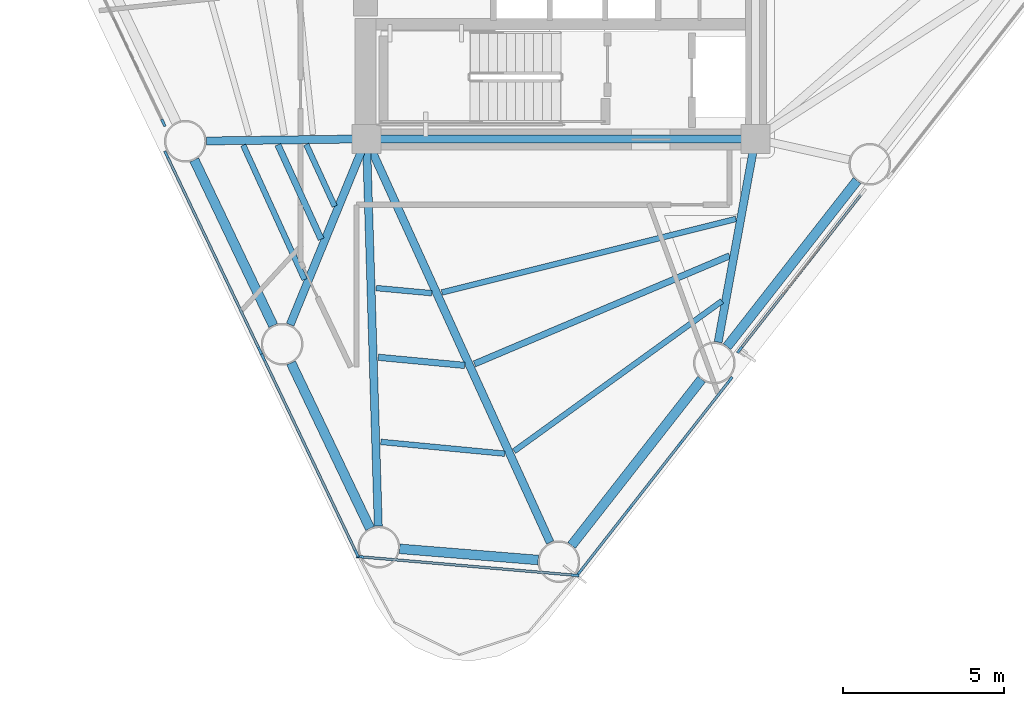
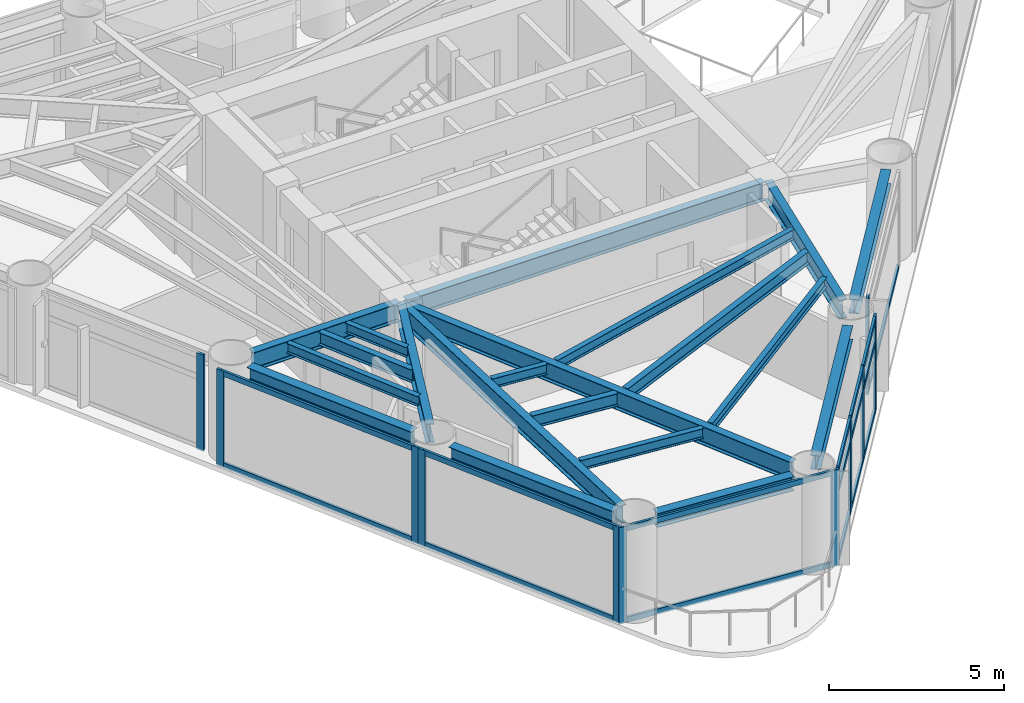
# One storey, part 2 of 10: 28 members, 20 beams, 6 elements without a shape of their own.
"""IFC4 building model written with IfcOpenShell, lengths in metres."""

from ifc_helpers import new_model, si_unit, direction, frame, origin, origin_2d, place, context, subcontext, project, spatial, rectangle, i_section, extrude, source, transform, mapped, material, layer, layer_set, material_profile, profile_set, type_object, element, aggregate, save


model = new_model("IFC4")

# Units and contexts
model_context = context("Model", 3, precision=1e-05, world=origin(), true_north=direction((0.0, 1.0)))
body_context = subcontext(model_context, "Body", "Model", "MODEL_VIEW")
ifc_project = project(units=[si_unit("LENGTHUNIT", "METRE"), si_unit("AREAUNIT", "SQUARE_METRE"), si_unit("VOLUMEUNIT", "CUBIC_METRE"), si_unit("PLANEANGLEUNIT", "RADIAN"), si_unit("MASSUNIT", "GRAM", prefix="KILO")], contexts=[model_context])

# Site, building, storey
site_placement = place(None, origin())
site = spatial("IfcSite", under=ifc_project, at=site_placement, CompositionType="ELEMENT")
building_placement = place(site_placement, origin())
building = spatial("IfcBuilding", under=site, at=building_placement, Name="Yunling Apex Tower", CompositionType="ELEMENT")
storey_placement = place(building_placement, frame((0.0, 0.0, 129.5)))
storey = spatial("IfcBuildingStorey", under=building, at=storey_placement, Name="L31", CompositionType="ELEMENT", Elevation=129.5)

# Beams
ifc_material_1 = material(Name="Steel Q355B", Category="steel")
ifc_material_profile_1 = material_profile(ifc_material_1, i_section(OverallWidth=0.25, OverallDepth=0.64990234375, WebThickness=0.011962890625, FlangeThickness=0.02001953125, FilletRadius=0.02392578125, at=origin_2d()))
ifc_profile_set_1 = profile_set([ifc_material_profile_1], Name="Steel Q355B")
beam_type_1 = type_object("IfcBeamType", Name="BG-PRI-4", PredefinedType="USERDEFINED", material=ifc_profile_set_1)
shared_shape_1 = source(origin(), body_context, "Body", "SweptSolid", [
    extrude(i_section(OverallWidth=0.25, OverallDepth=0.64990234375, WebThickness=0.011962890625, FlangeThickness=0.02001953125, FilletRadius=0.02392578125, at=origin_2d()), origin(), (0.0, 0.0, 1.0), 11.7998046875),
])
beam_1_placement = place(storey_placement, frame((-5.89990234375, -5.5, 2.945068359375), z_axis=(1.0, 0.0, 0.0), x_axis=(0.0, 1.0, 0.0)))
element("IfcBeam", 1, at=beam_1_placement, inside=storey, type_object=beam_type_1, Name="L31 Core Ring Tie Beam 1", ObjectType="GIRDER", PredefinedType="USERDEFINED", context=body_context, shape_type="MappedRepresentation", body=[
    mapped(shared_shape_1, transform((0.0, 0.0, 0.0), scale=1.0)),
])
ifc_material_profile_2 = material_profile(ifc_material_1, i_section(OverallWidth=0.300048828125, OverallDepth=0.489990234375, WebThickness=0.010986328125, FlangeThickness=0.01806640625, FilletRadius=0.02197265625, at=origin_2d()))
ifc_profile_set_2 = profile_set([ifc_material_profile_2], Name="Steel Q355B")
beam_type_2 = type_object("IfcBeamType", Name="BP-SPN-2", PredefinedType="SPANDREL", material=ifc_profile_set_2)
shared_shape_2 = source(origin(), body_context, "Body", "SweptSolid", [
    extrude(i_section(OverallWidth=0.300048828125, OverallDepth=0.489990234375, WebThickness=0.010986328125, FlangeThickness=0.01806640625, FilletRadius=0.02197265625, at=origin_2d()), origin(), (0.0, 0.0, 1.0), 6.562255859375),
])
for number, where, z_axis, x_axis, name in (
    (2, (0.332763671875, -18.147216796875, 3.02490234375), (0.616214963059, 0.787578008392, 0.0), (-0.787578008392, 0.616214963059, 0.0), "L31 Perimeter Spandrel Beam 1"),
    (3, (5.170166015625, -11.964599609375, 3.02490234375), (0.616214963059, 0.787578008392, 0.0), (-0.787578008392, 0.616214963059, 0.0), "L31 Perimeter Spandrel Beam 2"),
):
    element("IfcBeam", number, at=place(storey_placement, frame(where, z_axis=z_axis, x_axis=x_axis)), inside=storey, type_object=beam_type_2, Name=name, PredefinedType="SPANDREL", context=body_context, shape_type="MappedRepresentation", body=[
        mapped(shared_shape_2, transform((0.0, 0.0, 0.0), scale=1.0)),
    ])
shared_shape_3 = source(origin(), body_context, "Body", "SweptSolid", [
    extrude(i_section(OverallWidth=0.300048828125, OverallDepth=0.489990234375, WebThickness=0.010986328125, FlangeThickness=0.01806640625, FilletRadius=0.02197265625, at=origin_2d()), origin(), (0.0, 0.0, 1.0), 5.707763671875),
])
for number, where, z_axis, x_axis, name in (
    (4, (-11.407958984375, -6.15478515625, 3.02490234375), (0.430522919645, -0.902579645051, 0.0), (0.902579645051, 0.430522919645, 0.0), "L31 Perimeter Spandrel Beam 13"),
    (5, (-8.396240234375, -12.468994140625, 3.02490234375), (0.430522919645, -0.902579645051, 0.0), (0.902579645051, 0.430522919645, 0.0), "L31 Perimeter Spandrel Beam 14"),
):
    element("IfcBeam", number, at=place(storey_placement, frame(where, z_axis=z_axis, x_axis=x_axis)), inside=storey, type_object=beam_type_2, Name=name, PredefinedType="SPANDREL", context=body_context, shape_type="MappedRepresentation", body=[
        mapped(shared_shape_3, transform((0.0, 0.0, 0.0), scale=1.0)),
    ])
shared_shape_4 = source(origin(), body_context, "Body", "SweptSolid", [
    extrude(i_section(OverallWidth=0.300048828125, OverallDepth=0.489990234375, WebThickness=0.010986328125, FlangeThickness=0.01806640625, FilletRadius=0.02197265625, at=origin_2d()), origin(), (0.0, 0.0, 1.0), 4.328369140625),
])
beam_2_placement = place(storey_placement, frame((-5.02001953125, -18.25390625, 3.02490234375), z_axis=(0.996750747621, -0.08054779399, 0.0), x_axis=(0.08054779399, 0.996750747621, 0.0)))
element("IfcBeam", 6, at=beam_2_placement, inside=storey, type_object=beam_type_2, Name="L31 Perimeter Spandrel Beam 15", PredefinedType="SPANDREL", context=body_context, shape_type="MappedRepresentation", body=[
    mapped(shared_shape_4, transform((0.0, 0.0, 0.0), scale=1.0)),
])
shared_shape_5 = source(origin(), body_context, "Body", "SweptSolid", [
    extrude(i_section(OverallWidth=0.25, OverallDepth=0.64990234375, WebThickness=0.011962890625, FlangeThickness=0.02001953125, FilletRadius=0.02392578125, at=origin_2d()), origin(), (0.0, 0.0, 1.0), 13.714599609375),
])
beam_3_placement = place(storey_placement, frame((-0.33642578125, -18.0556640625, 2.945068359375), z_axis=(-0.414187834577, 0.910191429145, 0.0), x_axis=(-0.910191429145, -0.414187834577, 0.0)))
element("IfcBeam", 7, at=beam_3_placement, inside=storey, type_object=beam_type_1, Name="L31 Radial Primary Girder R01", ObjectType="GIRDER", PredefinedType="USERDEFINED", context=body_context, shape_type="MappedRepresentation", body=[
    mapped(shared_shape_5, transform((0.0, 0.0, 0.0), scale=1.0)),
])
shared_shape_6 = source(origin(), body_context, "Body", "SweptSolid", [
    extrude(i_section(OverallWidth=0.25, OverallDepth=0.64990234375, WebThickness=0.011962890625, FlangeThickness=0.02001953125, FilletRadius=0.02392578125, at=origin_2d()), origin(), (0.0, 0.0, 1.0), 6.349853515625),
])
beam_4_placement = place(storey_placement, frame((4.891845703125, -11.82470703125, 2.945068359375), z_axis=(0.18012699938, 0.983643362248, 0.0), x_axis=(-0.983643362248, 0.18012699938, 0.0)))
element("IfcBeam", 8, at=beam_4_placement, inside=storey, type_object=beam_type_1, Name="L31 Radial Primary Girder R02", ObjectType="GIRDER", PredefinedType="USERDEFINED", context=body_context, shape_type="MappedRepresentation", body=[
    mapped(shared_shape_6, transform((0.0, 0.0, 0.0), scale=1.0)),
])
shared_shape_7 = source(origin(), body_context, "Body", "SweptSolid", [
    extrude(i_section(OverallWidth=0.25, OverallDepth=0.64990234375, WebThickness=0.011962890625, FlangeThickness=0.02001953125, FilletRadius=0.02392578125, at=origin_2d()), origin(), (0.0, 0.0, 1.0), 4.89794921875),
])
beam_5_placement = place(storey_placement, frame((-11.02734375, -5.56494140625, 2.945068359375), z_axis=(0.999914718433, 0.0130597037, 0.0), x_axis=(-0.0130597037, 0.999914718433, 0.0)))
element("IfcBeam", 9, at=beam_5_placement, inside=storey, type_object=beam_type_1, Name="L31 Radial Primary Girder R13", ObjectType="GIRDER", PredefinedType="USERDEFINED", context=body_context, shape_type="MappedRepresentation", body=[
    mapped(shared_shape_7, transform((0.0, 0.0, 0.0), scale=1.0)),
])
shared_shape_8 = source(origin(), body_context, "Body", "SweptSolid", [
    extrude(i_section(OverallWidth=0.25, OverallDepth=0.64990234375, WebThickness=0.011962890625, FlangeThickness=0.02001953125, FilletRadius=0.02392578125, at=origin_2d()), origin(), (0.0, 0.0, 1.0), 6.16748046875),
])
beam_6_placement = place(storey_placement, frame((-8.423583984375, -11.279052734375, 2.945068359375), z_axis=(0.379933370098, 0.925013856267, 0.0), x_axis=(-0.925013856267, 0.379933370098, 0.0)))
element("IfcBeam", 10, at=beam_6_placement, inside=storey, type_object=beam_type_1, Name="L31 Radial Primary Girder R14", ObjectType="GIRDER", PredefinedType="USERDEFINED", context=body_context, shape_type="MappedRepresentation", body=[
    mapped(shared_shape_8, transform((0.0, 0.0, 0.0), scale=1.0)),
])
shared_shape_9 = source(origin(), body_context, "Body", "SweptSolid", [
    extrude(i_section(OverallWidth=0.25, OverallDepth=0.64990234375, WebThickness=0.011962890625, FlangeThickness=0.02001953125, FilletRadius=0.02392578125, at=origin_2d()), origin(), (0.0, 0.0, 1.0), 11.9697265625),
])
beam_7_placement = place(storey_placement, frame((-5.681884765625, -17.544189453125, 2.945068359375), z_axis=(-0.030554037514, 0.999533116406, 0.0), x_axis=(-0.999533116406, -0.030554037514, 0.0)))
element("IfcBeam", 11, at=beam_7_placement, inside=storey, type_object=beam_type_1, Name="L31 Radial Primary Girder R15", ObjectType="GIRDER", PredefinedType="USERDEFINED", context=body_context, shape_type="MappedRepresentation", body=[
    mapped(shared_shape_9, transform((0.0, 0.0, 0.0), scale=1.0)),
])
ifc_material_profile_3 = material_profile(ifc_material_1, i_section(OverallWidth=0.199951171875, OverallDepth=0.449951171875, WebThickness=0.009033203125, FlangeThickness=0.013916015625, FilletRadius=0.01806640625, at=origin_2d()))
ifc_profile_set_3 = profile_set([ifc_material_profile_3], Name="Steel Q355B")
beam_type_3 = type_object("IfcBeamType", Name="BS-SEC-3", PredefinedType="BEAM", material=ifc_profile_set_3)
shared_shape_10 = source(origin(), body_context, "Body", "SweptSolid", [
    extrude(i_section(OverallWidth=0.199951171875, OverallDepth=0.449951171875, WebThickness=0.009033203125, FlangeThickness=0.013916015625, FilletRadius=0.01806640625, at=origin_2d()), origin(), (0.0, 0.0, 1.0), 8.618896484375),
])
beam_8_placement = place(storey_placement, frame((-2.6884765625, -12.500732421875, 3.044921875), z_axis=(0.920793969751, 0.390049311332, 0.0), x_axis=(-0.390049311332, 0.920793969751, 0.0)))
element("IfcBeam", 12, at=beam_8_placement, inside=storey, type_object=beam_type_3, Name="L31 Composite Floor Beam BS-1", PredefinedType="BEAM", context=body_context, shape_type="MappedRepresentation", body=[
    mapped(shared_shape_10, transform((0.0, 0.0, 0.0), scale=1.0)),
])
ifc_material_profile_4 = material_profile(ifc_material_1, i_section(OverallWidth=0.175048828125, OverallDepth=0.35009765625, WebThickness=0.007080078125, FlangeThickness=0.010986328125, FilletRadius=0.013916015625, at=origin_2d()))
ifc_profile_set_4 = profile_set([ifc_material_profile_4], Name="Steel Q355B")
beam_type_4 = type_object("IfcBeamType", Name="BJ-JST-1", PredefinedType="JOIST", material=ifc_profile_set_4)
shared_shape_11 = source(origin(), body_context, "Body", "SweptSolid", [
    extrude(i_section(OverallWidth=0.175048828125, OverallDepth=0.35009765625, WebThickness=0.007080078125, FlangeThickness=0.010986328125, FilletRadius=0.013916015625, at=origin_2d()), origin(), (0.0, 0.0, 1.0), 7.98046875),
])
beam_9_placement = place(storey_placement, frame((-1.45654296875, -15.2158203125, 3.094970703125), z_axis=(0.81075666384, 0.585383320602, 0.0), x_axis=(-0.585383320602, 0.81075666384, 0.0)))
element("IfcBeam", 13, at=beam_9_placement, inside=storey, type_object=beam_type_4, Name="L31 Composite Floor Joist BJ1-1", PredefinedType="JOIST", context=body_context, shape_type="MappedRepresentation", body=[
    mapped(shared_shape_11, transform((0.0, 0.0, 0.0), scale=1.0)),
])
shared_shape_12 = source(origin(), body_context, "Body", "SweptSolid", [
    extrude(i_section(OverallWidth=0.175048828125, OverallDepth=0.35009765625, WebThickness=0.007080078125, FlangeThickness=0.010986328125, FilletRadius=0.013916015625, at=origin_2d()), origin(), (0.0, 0.0, 1.0), 9.430419921875),
])
beam_10_placement = place(storey_placement, frame((-3.703125, -10.277587890625, 3.094970703125), z_axis=(0.970157726952, 0.242474709682, 0.0), x_axis=(-0.242474709682, 0.970157726952, 0.0)))
element("IfcBeam", 14, at=beam_10_placement, inside=storey, type_object=beam_type_4, Name="L31 Composite Floor Joist BJ3-1", PredefinedType="JOIST", context=body_context, shape_type="MappedRepresentation", body=[
    mapped(shared_shape_12, transform((0.0, 0.0, 0.0), scale=1.0)),
])
shared_shape_13 = source(origin(), body_context, "Body", "SweptSolid", [
    extrude(i_section(OverallWidth=0.199951171875, OverallDepth=0.449951171875, WebThickness=0.009033203125, FlangeThickness=0.013916015625, FilletRadius=0.01806640625, at=origin_2d()), origin(), (0.0, 0.0, 1.0), 3.234619140625),
])
beam_11_placement = place(storey_placement, frame((-8.805908203125, -5.682373046875, 3.044921875), z_axis=(0.416337611841, -0.909210092864, 0.0), x_axis=(0.909210092864, 0.416337611841, 0.0)))
element("IfcBeam", 15, at=beam_11_placement, inside=storey, type_object=beam_type_3, Name="L31 Composite Floor Beam BS-13", PredefinedType="BEAM", context=body_context, shape_type="MappedRepresentation", body=[
    mapped(shared_shape_13, transform((0.0, 0.0, 0.0), scale=1.0)),
])
shared_shape_14 = source(origin(), body_context, "Body", "SweptSolid", [
    extrude(i_section(OverallWidth=0.175048828125, OverallDepth=0.35009765625, WebThickness=0.007080078125, FlangeThickness=0.010986328125, FilletRadius=0.013916015625, at=origin_2d()), origin(), (0.0, 0.0, 1.0), 4.596923828125),
])
beam_12_placement = place(storey_placement, frame((-9.883544921875, -5.696533203125, 3.094970703125), z_axis=(0.415258909569, -0.909703269217, 0.0), x_axis=(0.909703269217, 0.415258909569, 0.0)))
element("IfcBeam", 16, at=beam_12_placement, inside=storey, type_object=beam_type_4, Name="L31 Composite Floor Joist BJ1-13", PredefinedType="JOIST", context=body_context, shape_type="MappedRepresentation", body=[
    mapped(shared_shape_14, transform((0.0, 0.0, 0.0), scale=1.0)),
])
shared_shape_15 = source(origin(), body_context, "Body", "SweptSolid", [
    extrude(i_section(OverallWidth=0.175048828125, OverallDepth=0.35009765625, WebThickness=0.007080078125, FlangeThickness=0.010986328125, FilletRadius=0.013916015625, at=origin_2d()), origin(), (0.0, 0.0, 1.0), 2.1201171875),
])
beam_13_placement = place(storey_placement, frame((-7.924072265625, -5.670654296875, 3.094970703125), z_axis=(0.418101376265, -0.908400373825, 0.0), x_axis=(0.908400373825, 0.418101376265, 0.0)))
element("IfcBeam", 17, at=beam_13_placement, inside=storey, type_object=beam_type_4, Name="L31 Composite Floor Joist BJ3-13", PredefinedType="JOIST", context=body_context, shape_type="MappedRepresentation", body=[
    mapped(shared_shape_15, transform((0.0, 0.0, 0.0), scale=1.0)),
])
shared_shape_16 = source(origin(), body_context, "Body", "SweptSolid", [
    extrude(i_section(OverallWidth=0.199951171875, OverallDepth=0.449951171875, WebThickness=0.009033203125, FlangeThickness=0.013916015625, FilletRadius=0.01806640625, at=origin_2d()), origin(), (0.0, 0.0, 1.0), 2.700439453125),
])
beam_14_placement = place(storey_placement, frame((-5.68359375, -12.294921875, 3.044921875), z_axis=(0.995595280091, -0.09375520391, 0.0), x_axis=(0.09375520391, 0.995595280091, 0.0)))
element("IfcBeam", 18, at=beam_14_placement, inside=storey, type_object=beam_type_3, Name="L31 Composite Floor Beam BS-15", PredefinedType="BEAM", context=body_context, shape_type="MappedRepresentation", body=[
    mapped(shared_shape_16, transform((0.0, 0.0, 0.0), scale=1.0)),
])
shared_shape_17 = source(origin(), body_context, "Body", "SweptSolid", [
    extrude(i_section(OverallWidth=0.175048828125, OverallDepth=0.35009765625, WebThickness=0.007080078125, FlangeThickness=0.010986328125, FilletRadius=0.013916015625, at=origin_2d()), origin(), (0.0, 0.0, 1.0), 3.874755859375),
])
beam_15_placement = place(storey_placement, frame((-5.60302734375, -14.92724609375, 3.094970703125), z_axis=(0.995505944035, -0.094699078094, 0.0), x_axis=(0.094699078094, 0.995505944035, 0.0)))
element("IfcBeam", 19, at=beam_15_placement, inside=storey, type_object=beam_type_4, Name="L31 Composite Floor Joist BJ1-15", PredefinedType="JOIST", context=body_context, shape_type="MappedRepresentation", body=[
    mapped(shared_shape_17, transform((0.0, 0.0, 0.0), scale=1.0)),
])
shared_shape_18 = source(origin(), body_context, "Body", "SweptSolid", [
    extrude(i_section(OverallWidth=0.175048828125, OverallDepth=0.35009765625, WebThickness=0.007080078125, FlangeThickness=0.010986328125, FilletRadius=0.013916015625, at=origin_2d()), origin(), (0.0, 0.0, 1.0), 1.739013671875),
])
beam_16_placement = place(storey_placement, frame((-5.749267578125, -10.14111328125, 3.094970703125), z_axis=(0.995737570839, -0.092231719166, 0.0), x_axis=(0.092231719166, 0.995737570839, 0.0)))
element("IfcBeam", 20, at=beam_16_placement, inside=storey, type_object=beam_type_4, Name="L31 Composite Floor Joist BJ3-15", PredefinedType="JOIST", context=body_context, shape_type="MappedRepresentation", body=[
    mapped(shared_shape_18, transform((0.0, 0.0, 0.0), scale=1.0)),
])

# Curtain wall, members
ifc_material_2 = material(Name="Bronze anodised aluminium", Category="aluminium")
ifc_layer = layer(ifc_material_2, 0.239990234375)
ifc_layer_set = layer_set([ifc_layer], Name="Bronze anodised aluminium")
curtain_wall_type = type_object("IfcCurtainWallType", Name="CW-SYS-3", PredefinedType="NOTDEFINED", material=ifc_layer_set)
curtain_wall_1_placement = place(storey_placement, origin())
curtain_wall_1 = element("IfcCurtainWall", 21, at=curtain_wall_1_placement, inside=storey, type_object=curtain_wall_type, Name="CW-L31-F1-B1", PredefinedType="NOTDEFINED")
ifc_material_profile_5 = material_profile(ifc_material_2, rectangle(XDim=0.080078125, YDim=0.239990234375, at=origin_2d()))
ifc_profile_set_5 = profile_set([ifc_material_profile_5], Name="Bronze anodised aluminium")
member_type_1 = type_object("IfcMemberType", Name="CW-MUL-3", PredefinedType="MULLION", material=ifc_profile_set_5)
shared_shape_19 = source(origin(), body_context, "Body", "SweptSolid", [
    extrude(rectangle(XDim=0.080078125, YDim=0.239990234375, at=origin_2d()), origin(), (0.0, 0.0, 1.0), 3.3701171875),
])
member_1_placement = place(storey_placement, frame((0.569091796875, -18.99755859375, -0.050048828125), z_axis=(0.0, 0.0, 1.0), x_axis=(-0.787583748686, 0.616207626377, 0.0)))
member_1 = element("IfcMember", 22, at=member_1_placement, type_object=member_type_1, Name="CW-SYS-3 mullion 1", PredefinedType="MULLION", context=body_context, shape_type="MappedRepresentation", body=[
    mapped(shared_shape_19, transform((0.0, 0.0, 0.0), scale=1.0)),
])
member_2_placement = place(storey_placement, frame((2.1240234375, -17.01025390625, -0.050048828125), z_axis=(0.0, 0.0, 1.0), x_axis=(-0.787583748686, 0.616207626377, 0.0)))
member_2 = element("IfcMember", 23, at=member_2_placement, type_object=member_type_1, Name="CW-SYS-3 mullion 2", PredefinedType="MULLION", context=body_context, shape_type="MappedRepresentation", body=[
    mapped(shared_shape_19, transform((0.0, 0.0, 0.0), scale=1.0)),
])
member_3_placement = place(storey_placement, frame((3.70361328125, -14.9912109375, -0.050048828125), z_axis=(0.0, 0.0, 1.0), x_axis=(-0.787583748686, 0.616207626377, 0.0)))
member_3 = element("IfcMember", 24, at=member_3_placement, type_object=member_type_1, Name="CW-SYS-3 mullion 3", PredefinedType="MULLION", context=body_context, shape_type="MappedRepresentation", body=[
    mapped(shared_shape_19, transform((0.0, 0.0, 0.0), scale=1.0)),
])
member_4_placement = place(storey_placement, frame((5.258544921875, -13.00390625, -0.050048828125), z_axis=(0.0, 0.0, 1.0), x_axis=(-0.787583748686, 0.616207626377, 0.0)))
member_4 = element("IfcMember", 25, at=member_4_placement, type_object=member_type_1, Name="CW-SYS-3 mullion 4", PredefinedType="MULLION", context=body_context, shape_type="MappedRepresentation", body=[
    mapped(shared_shape_19, transform((0.0, 0.0, 0.0), scale=1.0)),
])

# Curtain wall, member
curtain_wall_2_placement = place(storey_placement, origin())
curtain_wall_2 = element("IfcCurtainWall", 26, at=curtain_wall_2_placement, inside=storey, type_object=curtain_wall_type, Name="CW-L31-F1-B2", PredefinedType="NOTDEFINED")
member_5_placement = place(storey_placement, frame((5.56396484375, -12.06201171875, -0.050048828125), z_axis=(0.0, 0.0, 1.0), x_axis=(-0.787590269126, 0.616199292419, 0.0)))
member_5 = element("IfcMember", 27, at=member_5_placement, type_object=member_type_1, Name="CW-SYS-3 mullion 1", PredefinedType="MULLION", context=body_context, shape_type="MappedRepresentation", body=[
    mapped(shared_shape_19, transform((0.0, 0.0, 0.0), scale=1.0)),
])

curtain_wall_3_placement = place(storey_placement, origin())
curtain_wall_3 = element("IfcCurtainWall", 28, at=curtain_wall_3_placement, inside=storey, type_object=curtain_wall_type, Name="CW-L31-F3-B2", PredefinedType="NOTDEFINED")
member_6_placement = place(storey_placement, frame((-12.36767578125, -5.001708984375, -0.050048828125), z_axis=(0.0, 0.0, 1.0), x_axis=(0.902579794247, 0.430522606859, 0.0)))
member_6 = element("IfcMember", 29, at=member_6_placement, type_object=member_type_1, Name="CW-SYS-3 mullion 2", PredefinedType="MULLION", context=body_context, shape_type="MappedRepresentation", body=[
    mapped(shared_shape_19, transform((0.0, 0.0, 0.0), scale=1.0)),
])
aggregate(curtain_wall_3, [member_6])

# Curtain wall, members
curtain_wall_4_placement = place(storey_placement, origin())
curtain_wall_4 = element("IfcCurtainWall", 30, at=curtain_wall_4_placement, inside=storey, type_object=curtain_wall_type, Name="CW-L31-F3-B3", PredefinedType="NOTDEFINED")
member_7_placement = place(storey_placement, frame((-12.274169921875, -5.987548828125, -0.050048828125), z_axis=(0.0, 0.0, 1.0), x_axis=(0.902593449526, 0.430493977743, 0.0)))
member_7 = element("IfcMember", 31, at=member_7_placement, type_object=member_type_1, Name="CW-SYS-3 mullion 1", PredefinedType="MULLION", context=body_context, shape_type="MappedRepresentation", body=[
    mapped(shared_shape_19, transform((0.0, 0.0, 0.0), scale=1.0)),
])
member_8_placement = place(storey_placement, frame((-9.365966796875, -12.085205078125, -0.050048828125), z_axis=(0.0, 0.0, 1.0), x_axis=(0.902593449526, 0.430493977743, 0.0)))
member_8 = element("IfcMember", 32, at=member_8_placement, type_object=member_type_1, Name="CW-SYS-3 mullion 2", PredefinedType="MULLION", context=body_context, shape_type="MappedRepresentation", body=[
    mapped(shared_shape_19, transform((0.0, 0.0, 0.0), scale=1.0)),
])

curtain_wall_5_placement = place(storey_placement, origin())
curtain_wall_5 = element("IfcCurtainWall", 33, at=curtain_wall_5_placement, inside=storey, type_object=curtain_wall_type, Name="CW-L31-F3-B4", PredefinedType="NOTDEFINED")
member_9_placement = place(storey_placement, frame((-9.2626953125, -12.3017578125, -0.050048828125), z_axis=(0.0, 0.0, 1.0), x_axis=(0.902585053788, 0.430511580192, 0.0)))
member_9 = element("IfcMember", 34, at=member_9_placement, type_object=member_type_1, Name="CW-SYS-3 mullion 1", PredefinedType="MULLION", context=body_context, shape_type="MappedRepresentation", body=[
    mapped(shared_shape_19, transform((0.0, 0.0, 0.0), scale=1.0)),
])
member_10_placement = place(storey_placement, frame((-6.354248046875, -18.399169921875, -0.050048828125), z_axis=(0.0, 0.0, 1.0), x_axis=(0.902585053788, 0.430511580192, 0.0)))
member_10 = element("IfcMember", 35, at=member_10_placement, type_object=member_type_1, Name="CW-SYS-3 mullion 2", PredefinedType="MULLION", context=body_context, shape_type="MappedRepresentation", body=[
    mapped(shared_shape_19, transform((0.0, 0.0, 0.0), scale=1.0)),
])

curtain_wall_6_placement = place(storey_placement, origin())
curtain_wall_6 = element("IfcCurtainWall", 36, at=curtain_wall_6_placement, inside=storey, type_object=curtain_wall_type, Name="CW-L31-CRN3", PredefinedType="NOTDEFINED")
member_11_placement = place(storey_placement, frame((-6.24462890625, -18.50244140625, -0.050048828125), z_axis=(0.0, 0.0, 1.0), x_axis=(0.085550287883, 0.996333853808, 0.0)))
member_11 = element("IfcMember", 37, at=member_11_placement, type_object=member_type_1, Name="CW-SYS-3 mullion 1", PredefinedType="MULLION", context=body_context, shape_type="MappedRepresentation", body=[
    mapped(shared_shape_19, transform((0.0, 0.0, 0.0), scale=1.0)),
])
member_12_placement = place(storey_placement, frame((0.439697265625, -19.076171875, -0.050048828125), z_axis=(0.0, 0.0, 1.0), x_axis=(0.085550287883, 0.996333853808, 0.0)))
member_12 = element("IfcMember", 38, at=member_12_placement, type_object=member_type_1, Name="CW-SYS-3 mullion 2", PredefinedType="MULLION", context=body_context, shape_type="MappedRepresentation", body=[
    mapped(shared_shape_19, transform((0.0, 0.0, 0.0), scale=1.0)),
])

# Member
ifc_material_profile_6 = material_profile(ifc_material_2, rectangle(XDim=0.080078125, YDim=0.18505859375, at=origin_2d()))
ifc_profile_set_6 = profile_set([ifc_material_profile_6], Name="Bronze anodised aluminium")
member_type_2 = type_object("IfcMemberType", Name="CW-TRN-3", PredefinedType="USERDEFINED", material=ifc_profile_set_6)
shared_shape_20 = source(origin(), body_context, "Body", "SweptSolid", [
    extrude(rectangle(XDim=0.080078125, YDim=0.18505859375, at=origin_2d()), origin(), (0.0, 0.0, 1.0), 2.451416015625),
])
member_13_placement = place(storey_placement, frame((0.59130859375, -18.96923828125, 0.0400390625), z_axis=(0.616192781155, 0.787595363402, 0.0), x_axis=(-0.787595363402, 0.616192781155, 0.0)))
member_13 = element("IfcMember", 39, at=member_13_placement, type_object=member_type_2, Name="CW-SYS-3 transom 1.1", ObjectType="TRANSOM", PredefinedType="USERDEFINED", context=body_context, shape_type="MappedRepresentation", body=[
    mapped(shared_shape_20, transform((0.0, 0.0, 0.0), scale=1.0)),
])

member_14_placement = place(storey_placement, frame((0.59130859375, -18.96923828125, 2.485107421875), z_axis=(0.616192781155, 0.787595363402, 0.0), x_axis=(-0.787595363402, 0.616192781155, 0.0)))
member_14 = element("IfcMember", 40, at=member_14_placement, type_object=member_type_2, Name="CW-SYS-3 transom 1.2", ObjectType="TRANSOM", PredefinedType="USERDEFINED", context=body_context, shape_type="MappedRepresentation", body=[
    mapped(shared_shape_20, transform((0.0, 0.0, 0.0), scale=1.0)),
])

member_15_placement = place(storey_placement, frame((0.59130859375, -18.96923828125, 3.22998046875), z_axis=(0.616192781155, 0.787595363402, 0.0), x_axis=(-0.787595363402, 0.616192781155, 0.0)))
member_15 = element("IfcMember", 41, at=member_15_placement, type_object=member_type_2, Name="CW-SYS-3 transom 1.3", ObjectType="TRANSOM", PredefinedType="USERDEFINED", context=body_context, shape_type="MappedRepresentation", body=[
    mapped(shared_shape_20, transform((0.0, 0.0, 0.0), scale=1.0)),
])

member_16_placement = place(storey_placement, frame((3.725830078125, -14.962890625, 0.0400390625), z_axis=(0.616192781155, 0.787595363402, 0.0), x_axis=(-0.787595363402, 0.616192781155, 0.0)))
member_16 = element("IfcMember", 42, at=member_16_placement, type_object=member_type_2, Name="CW-SYS-3 transom 3.1", ObjectType="TRANSOM", PredefinedType="USERDEFINED", context=body_context, shape_type="MappedRepresentation", body=[
    mapped(shared_shape_20, transform((0.0, 0.0, 0.0), scale=1.0)),
])

member_17_placement = place(storey_placement, frame((3.725830078125, -14.962890625, 2.485107421875), z_axis=(0.616192781155, 0.787595363402, 0.0), x_axis=(-0.787595363402, 0.616192781155, 0.0)))
member_17 = element("IfcMember", 43, at=member_17_placement, type_object=member_type_2, Name="CW-SYS-3 transom 3.2", ObjectType="TRANSOM", PredefinedType="USERDEFINED", context=body_context, shape_type="MappedRepresentation", body=[
    mapped(shared_shape_20, transform((0.0, 0.0, 0.0), scale=1.0)),
])

member_18_placement = place(storey_placement, frame((3.725830078125, -14.962890625, 3.22998046875), z_axis=(0.616192781155, 0.787595363402, 0.0), x_axis=(-0.787595363402, 0.616192781155, 0.0)))
member_18 = element("IfcMember", 44, at=member_18_placement, type_object=member_type_2, Name="CW-SYS-3 transom 3.3", ObjectType="TRANSOM", PredefinedType="USERDEFINED", context=body_context, shape_type="MappedRepresentation", body=[
    mapped(shared_shape_20, transform((0.0, 0.0, 0.0), scale=1.0)),
])

shared_shape_21 = source(origin(), body_context, "Body", "SweptSolid", [
    extrude(rectangle(XDim=0.080078125, YDim=0.18505859375, at=origin_2d()), origin(), (0.0, 0.0, 1.0), 2.491455078125),
])
member_19_placement = place(storey_placement, frame((2.146240234375, -16.981689453125, 0.0400390625), z_axis=(0.616197277936, 0.787591845225, 0.0), x_axis=(-0.787591845225, 0.616197277936, 0.0)))
member_19 = element("IfcMember", 45, at=member_19_placement, type_object=member_type_2, Name="CW-SYS-3 transom 2.1", ObjectType="TRANSOM", PredefinedType="USERDEFINED", context=body_context, shape_type="MappedRepresentation", body=[
    mapped(shared_shape_21, transform((0.0, 0.0, 0.0), scale=1.0)),
])

member_20_placement = place(storey_placement, frame((2.146240234375, -16.981689453125, 2.485107421875), z_axis=(0.616197277936, 0.787591845225, 0.0), x_axis=(-0.787591845225, 0.616197277936, 0.0)))
member_20 = element("IfcMember", 46, at=member_20_placement, type_object=member_type_2, Name="CW-SYS-3 transom 2.2", ObjectType="TRANSOM", PredefinedType="USERDEFINED", context=body_context, shape_type="MappedRepresentation", body=[
    mapped(shared_shape_21, transform((0.0, 0.0, 0.0), scale=1.0)),
])

member_21_placement = place(storey_placement, frame((2.146240234375, -16.981689453125, 3.22998046875), z_axis=(0.616197277936, 0.787591845225, 0.0), x_axis=(-0.787591845225, 0.616197277936, 0.0)))
member_21 = element("IfcMember", 47, at=member_21_placement, type_object=member_type_2, Name="CW-SYS-3 transom 2.3", ObjectType="TRANSOM", PredefinedType="USERDEFINED", context=body_context, shape_type="MappedRepresentation", body=[
    mapped(shared_shape_21, transform((0.0, 0.0, 0.0), scale=1.0)),
])

aggregate(curtain_wall_1, [member_1, member_2, member_3, member_4, member_13, member_14, member_15, member_19, member_20, member_21, member_16, member_17, member_18])

shared_shape_22 = source(origin(), body_context, "Body", "SweptSolid", [
    extrude(rectangle(XDim=0.080078125, YDim=0.18505859375, at=origin_2d()), origin(), (0.0, 0.0, 1.0), 6.158203125),
])
member_22_placement = place(storey_placement, frame((5.5859375, -12.03369140625, 0.0400390625), z_axis=(0.616202427613, 0.787587816185, 0.0), x_axis=(-0.787587816185, 0.616202427613, 0.0)))
member_22 = element("IfcMember", 48, at=member_22_placement, type_object=member_type_2, Name="CW-SYS-3 transom 1.1", ObjectType="TRANSOM", PredefinedType="USERDEFINED", context=body_context, shape_type="MappedRepresentation", body=[
    mapped(shared_shape_22, transform((0.0, 0.0, 0.0), scale=1.0)),
])

aggregate(curtain_wall_2, [member_5, member_22])

shared_shape_23 = source(origin(), body_context, "Body", "SweptSolid", [
    extrude(rectangle(XDim=0.080078125, YDim=0.18505859375, at=origin_2d()), origin(), (0.0, 0.0, 1.0), 6.68359375),
])
member_23_placement = place(storey_placement, frame((-12.2587890625, -6.02001953125, 0.0400390625), z_axis=(0.430493585609, -0.902593636555, 0.0), x_axis=(0.902593636555, 0.430493585609, 0.0)))
member_23 = element("IfcMember", 49, at=member_23_placement, type_object=member_type_2, Name="CW-SYS-3 transom 1.1", ObjectType="TRANSOM", PredefinedType="USERDEFINED", context=body_context, shape_type="MappedRepresentation", body=[
    mapped(shared_shape_23, transform((0.0, 0.0, 0.0), scale=1.0)),
])

member_24_placement = place(storey_placement, frame((-12.2587890625, -6.02001953125, 3.22998046875), z_axis=(0.430493585609, -0.902593636555, 0.0), x_axis=(0.902593636555, 0.430493585609, 0.0)))
member_24 = element("IfcMember", 50, at=member_24_placement, type_object=member_type_2, Name="CW-SYS-3 transom 1.2", ObjectType="TRANSOM", PredefinedType="USERDEFINED", context=body_context, shape_type="MappedRepresentation", body=[
    mapped(shared_shape_23, transform((0.0, 0.0, 0.0), scale=1.0)),
])

aggregate(curtain_wall_4, [member_7, member_8, member_23, member_24])

member_25_placement = place(storey_placement, frame((-9.2470703125, -12.334228515625, 0.0400390625), z_axis=(0.430493585609, -0.902593636555, 0.0), x_axis=(0.902593636555, 0.430493585609, 0.0)))
member_25 = element("IfcMember", 51, at=member_25_placement, type_object=member_type_2, Name="CW-SYS-3 transom 1.1", ObjectType="TRANSOM", PredefinedType="USERDEFINED", context=body_context, shape_type="MappedRepresentation", body=[
    mapped(shared_shape_23, transform((0.0, 0.0, 0.0), scale=1.0)),
])

member_26_placement = place(storey_placement, frame((-9.2470703125, -12.334228515625, 3.22998046875), z_axis=(0.430493585609, -0.902593636555, 0.0), x_axis=(0.902593636555, 0.430493585609, 0.0)))
member_26 = element("IfcMember", 52, at=member_26_placement, type_object=member_type_2, Name="CW-SYS-3 transom 1.2", ObjectType="TRANSOM", PredefinedType="USERDEFINED", context=body_context, shape_type="MappedRepresentation", body=[
    mapped(shared_shape_23, transform((0.0, 0.0, 0.0), scale=1.0)),
])

aggregate(curtain_wall_5, [member_9, member_10, member_25, member_26])

shared_shape_24 = source(origin(), body_context, "Body", "SweptSolid", [
    extrude(rectangle(XDim=0.080078125, YDim=0.18505859375, at=origin_2d()), origin(), (0.0, 0.0, 1.0), 6.63720703125),
])
member_27_placement = place(storey_placement, frame((-6.208984375, -18.50537109375, 0.0400390625), z_axis=(0.996333043608, -0.085559723083, 0.0), x_axis=(0.085559723083, 0.996333043608, 0.0)))
member_27 = element("IfcMember", 53, at=member_27_placement, type_object=member_type_2, Name="CW-SYS-3 transom 1.1", ObjectType="TRANSOM", PredefinedType="USERDEFINED", context=body_context, shape_type="MappedRepresentation", body=[
    mapped(shared_shape_24, transform((0.0, 0.0, 0.0), scale=1.0)),
])

member_28_placement = place(storey_placement, frame((-6.208984375, -18.50537109375, 3.22998046875), z_axis=(0.996333043608, -0.085559723083, 0.0), x_axis=(0.085559723083, 0.996333043608, 0.0)))
member_28 = element("IfcMember", 54, at=member_28_placement, type_object=member_type_2, Name="CW-SYS-3 transom 1.2", ObjectType="TRANSOM", PredefinedType="USERDEFINED", context=body_context, shape_type="MappedRepresentation", body=[
    mapped(shared_shape_24, transform((0.0, 0.0, 0.0), scale=1.0)),
])

aggregate(curtain_wall_6, [member_11, member_12, member_27, member_28])

save(model, "model.ifc")
